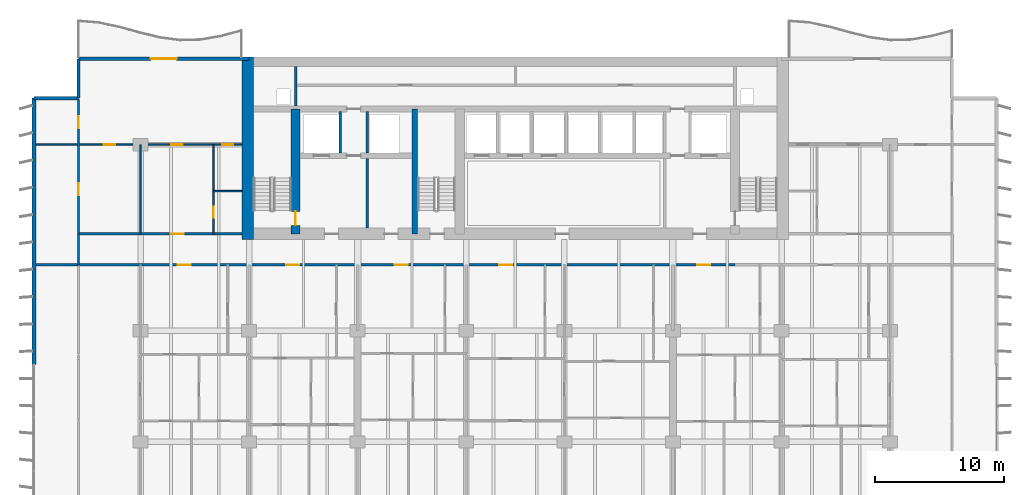
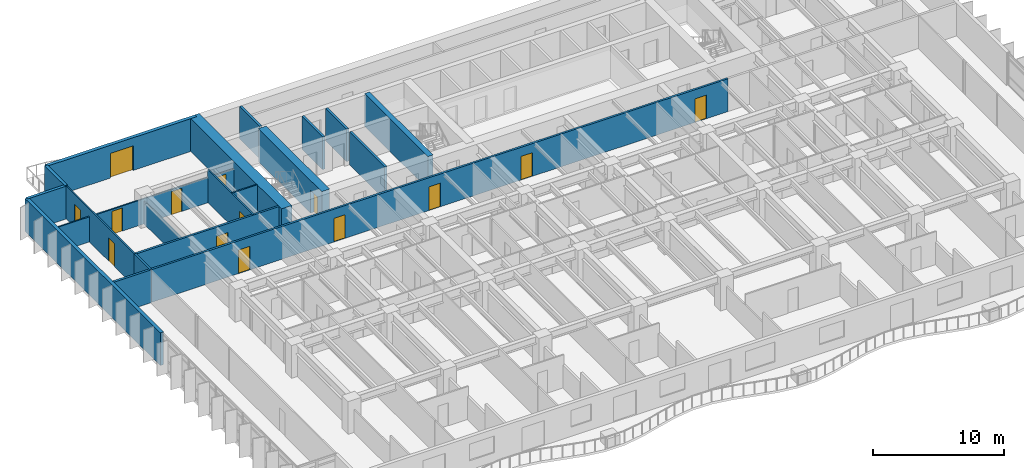
# One storey, part 10 of 17: 20 walls, 14 doors, 14 openings.
"""IFC4 building model written with IfcOpenShell, lengths in metres."""

from ifc_helpers import new_model, si_unit, direction, frame, frame_2d, origin, place, context, subcontext, project, spatial, rectangle, extrude, material, layer, layer_set, type_object, element, fill, save


model = new_model("IFC4")

# Units and contexts
model_context = context("Model", 3, precision=1e-05, world=origin(), true_north=direction((0.0, 1.0)))
body_context = subcontext(model_context, "Body", "Model", "MODEL_VIEW")
ifc_project = project(units=[si_unit("LENGTHUNIT", "METRE"), si_unit("AREAUNIT", "SQUARE_METRE"), si_unit("VOLUMEUNIT", "CUBIC_METRE"), si_unit("PLANEANGLEUNIT", "RADIAN"), si_unit("MASSUNIT", "GRAM", prefix="KILO")], contexts=[model_context])

# Site, building, storey
site_placement = place(None, origin())
site = spatial("IfcSite", under=ifc_project, at=site_placement, CompositionType="ELEMENT")
building_placement = place(site_placement, origin())
building = spatial("IfcBuilding", under=site, at=building_placement, Name="Caelmar Bay Residences", CompositionType="ELEMENT")
storey_placement = place(building_placement, frame((0.0, 0.0, 30.0)))
storey = spatial("IfcBuildingStorey", under=building, at=storey_placement, Name="L06", CompositionType="ELEMENT", Elevation=30.0)

# Wall, opening, door
ifc_material_1 = material(Name="Concrete f'c 55 MPa (8,000 psi)", Category="concrete")
ifc_layer_1 = layer(ifc_material_1, 0.699951171875)
ifc_layer_set_1 = layer_set([ifc_layer_1], Name="Concrete f'c 55 MPa (8,000 psi)")
wall_type_1 = type_object("IfcWallType", Name="SW-COR-700", PredefinedType="SHEAR", material=ifc_layer_set_1)
wall_1_placement = place(storey_placement, frame((21.89990234375, 36.89990234375, 0.0), z_axis=(0.0, 0.0, 1.0), x_axis=(0.0, 1.0, 0.0)))
wall_1 = element("IfcWall", 1, at=wall_1_placement, inside=storey, type_object=wall_type_1, Name="L06 Core Structural Web Wall ST1E", PredefinedType="SHEAR", context=body_context, shape_type="SweptSolid", body=[
    extrude(rectangle(XDim=9.675048828125, YDim=0.699951171875, at=frame_2d((4.83740234375, 0.0))), origin(), (0.0, 0.0, 1.0), 3.050048828125),
])
opening_1_placement = place(wall_1_placement, frame((0.64990234375, 0.0, 0.0)))
opening_1 = element("IfcOpeningElement", 2, at=opening_1_placement, cuts=wall_1, Name="Opening D-L06-108", PredefinedType="OPENING", context=body_context, shape_type="SweptSolid", body=[
    extrude(rectangle(XDim=1.10009765625, YDim=2.14990234375, at=frame_2d((0.550048828125, 1.074951171875))), frame((0.0, 0.35986328125, 0.0), z_axis=(0.0, -1.0, 0.0), x_axis=(1.0, 0.0, 0.0)), (0.0, 0.0, 1.0), 0.719970703125),
])
ifc_material_2 = material(Name="Fire-rated steel and walnut architectural door assembly", Category="steel")
ifc_layer_2 = layer(ifc_material_2, 0.050048828125)
ifc_layer_set_2 = layer_set([ifc_layer_2], Name="Fire-rated steel and walnut architectural door assembly")
door_type_1 = type_object("IfcDoorType", Name="D-STAIR-1100", OperationType="NOTDEFINED", PredefinedType="DOOR", material=ifc_layer_set_2)
door_1_placement = place(opening_1_placement, origin())
door_1 = element("IfcDoor", 3, at=door_1_placement, inside=storey, type_object=door_type_1, Name="L06 Firefighting Lobby West Door", OperationType="SINGLE_SWING_RIGHT", OverallHeight=2.14990234375, OverallWidth=1.10009765625, PredefinedType="DOOR", context=body_context, shape_type="SweptSolid", body=[
    extrude(rectangle(XDim=1.10009765625, YDim=2.14990234375, at=frame_2d((0.550048828125, 1.074951171875))), frame((0.0, 0.02490234375, 0.0), z_axis=(0.0, -1.0, 0.0), x_axis=(1.0, 0.0, 0.0)), (0.0, 0.0, 1.0), 0.050048828125),
])
fill(opening_1, door_1)

# Walls
ifc_material_3 = material(Name="Concrete f'c 70 MPa (10,000 psi)", Category="concrete")
ifc_layer_3 = layer(ifc_material_3, 0.89990234375)
ifc_layer_set_3 = layer_set([ifc_layer_3], Name="Concrete f'c 70 MPa (10,000 psi)")
wall_type_2 = type_object("IfcWallType", Name="SW-COR-900", PredefinedType="SHEAR", material=ifc_layer_set_3)
wall_2_placement = place(storey_placement, frame((18.199951171875, 36.449951171875, 0.0), z_axis=(0.0, 0.0, 1.0), x_axis=(0.0, 1.0, 0.0)))
element("IfcWall", 4, at=wall_2_placement, inside=storey, type_object=wall_type_2, Name="L06 Rear Core West Shear Wall", PredefinedType="SHEAR", context=body_context, shape_type="SweptSolid", body=[
    extrude(rectangle(XDim=14.150146484375, YDim=0.89990234375, at=frame_2d((7.0751953125, 0.0))), origin(), (0.0, 0.0, 1.0), 3.050048828125),
])
ifc_layer_4 = layer(ifc_material_3, 0.449951171875)
ifc_layer_set_4 = layer_set([ifc_layer_4], Name="Concrete f'c 70 MPa (10,000 psi)")
wall_type_3 = type_object("IfcWallType", Name="SW-WEB-450", PredefinedType="SHEAR", material=ifc_layer_set_4)
wall_3_placement = place(storey_placement, frame((31.125, 36.89990234375, 0.0), z_axis=(0.0, 0.0, 1.0), x_axis=(0.0, 1.0, 0.0)))
element("IfcWall", 5, at=wall_3_placement, inside=storey, type_object=wall_type_3, Name="L06 Core Structural Web Wall ST3W", PredefinedType="SHEAR", context=body_context, shape_type="SweptSolid", body=[
    extrude(rectangle(XDim=9.675048828125, YDim=0.449951171875, at=frame_2d((4.83740234375, 0.0))), origin(), (0.0, 0.0, 1.0), 3.050048828125),
])
ifc_material_4 = material(Name="Double-stud acoustic fire-rated gypsum partition 180 mm")
ifc_layer_5 = layer(ifc_material_4, 0.179931640625)
ifc_layer_set_5 = layer_set([ifc_layer_5], Name="Double-stud acoustic fire-rated gypsum partition 180 mm")
wall_type_4 = type_object("IfcWallType", Name="W-COR-200", PredefinedType="PARTITIONING", material=ifc_layer_set_5)
wall_4_placement = place(storey_placement, frame((5.10009765625, 34.5048828125, 0.0), z_axis=(0.0, 0.0, 1.0), x_axis=(0.0, 1.0, 0.0)))
element("IfcWall", 6, at=wall_4_placement, inside=storey, type_object=wall_type_4, Name="L06 Partition Wall V005", PredefinedType="PARTITIONING", context=body_context, shape_type="SweptSolid", body=[
    extrude(rectangle(XDim=2.39501953125, YDim=0.179931640625, at=frame_2d((1.197509765625, 0.0))), origin(), (0.0, 0.0, 1.0), 3.050048828125),
])

# Wall, openings, doors
wall_5_placement = place(storey_placement, frame((5.10498046875, 34.5, 0.0), z_axis=(0.0, 0.0, 1.0), x_axis=(1.0, 0.0, 0.0)))
wall_5 = element("IfcWall", 7, at=wall_5_placement, inside=storey, type_object=wall_type_4, Name="L06 Partition Wall H124", PredefinedType="PARTITIONING", context=body_context, shape_type="SweptSolid", body=[
    extrude(rectangle(XDim=50.781005859375, YDim=0.179931640625, at=frame_2d((25.390625, 0.0))), origin(), (0.0, 0.0, 1.0), 3.050048828125),
])
opening_2_placement = place(wall_5_placement, frame((7.669921875, 0.0, 0.0)))
opening_2 = element("IfcOpeningElement", 8, at=opening_2_placement, cuts=wall_5, Name="Opening D-L06-119", PredefinedType="OPENING", context=body_context, shape_type="SweptSolid", body=[
    extrude(rectangle(XDim=1.0, YDim=2.199951171875, at=frame_2d((0.5, 1.10009765625))), frame((0.0, 0.099853515625, 0.0), z_axis=(0.0, -1.0, 0.0), x_axis=(1.0, 0.0, 0.0)), (0.0, 0.0, 1.0), 0.199951171875),
])
opening_3_placement = place(wall_5_placement, frame((16.070068359375, 0.0, 0.0)))
opening_3 = element("IfcOpeningElement", 9, at=opening_3_placement, cuts=wall_5, Name="Opening D-L06-127", PredefinedType="OPENING", context=body_context, shape_type="SweptSolid", body=[
    extrude(rectangle(XDim=1.0, YDim=2.199951171875, at=frame_2d((0.5, 1.10009765625))), frame((0.0, 0.099853515625, 0.0), z_axis=(0.0, -1.0, 0.0), x_axis=(1.0, 0.0, 0.0)), (0.0, 0.0, 1.0), 0.199951171875),
])
opening_4_placement = place(wall_5_placement, frame((24.469970703125, 0.0, 0.0)))
opening_4 = element("IfcOpeningElement", 10, at=opening_4_placement, cuts=wall_5, Name="Opening D-L06-134", PredefinedType="OPENING", context=body_context, shape_type="SweptSolid", body=[
    extrude(rectangle(XDim=1.0, YDim=2.199951171875, at=frame_2d((0.5, 1.10009765625))), frame((0.0, 0.099853515625, 0.0), z_axis=(0.0, -1.0, 0.0), x_axis=(1.0, 0.0, 0.0)), (0.0, 0.0, 1.0), 0.199951171875),
])
opening_5_placement = place(wall_5_placement, frame((32.544921875, 0.0, 0.0)))
opening_5 = element("IfcOpeningElement", 11, at=opening_5_placement, cuts=wall_5, Name="Opening D-L06-141", PredefinedType="OPENING", context=body_context, shape_type="SweptSolid", body=[
    extrude(rectangle(XDim=1.0, YDim=2.199951171875, at=frame_2d((0.5, 1.10009765625))), frame((0.0, 0.099853515625, 0.0), z_axis=(0.0, -1.0, 0.0), x_axis=(1.0, 0.0, 0.0)), (0.0, 0.0, 1.0), 0.199951171875),
])
opening_6_placement = place(wall_5_placement, frame((47.887939453125, 0.0, 0.0)))
opening_6 = element("IfcOpeningElement", 12, at=opening_6_placement, cuts=wall_5, Name="Opening D-L06-150", PredefinedType="OPENING", context=body_context, shape_type="SweptSolid", body=[
    extrude(rectangle(XDim=1.0, YDim=2.199951171875, at=frame_2d((0.5, 1.10009765625))), frame((0.0, 0.099853515625, 0.0), z_axis=(0.0, -1.0, 0.0), x_axis=(1.0, 0.0, 0.0)), (0.0, 0.0, 1.0), 0.199951171875),
])
ifc_layer_6 = layer(ifc_material_2, 0.050048828125)
ifc_layer_set_6 = layer_set([ifc_layer_6], Name="Fire-rated steel and walnut architectural door assembly")
door_type_2 = type_object("IfcDoorType", Name="D-UNIT-1000", OperationType="NOTDEFINED", PredefinedType="DOOR", material=ifc_layer_set_6)
door_2_placement = place(opening_2_placement, origin())
door_2 = element("IfcDoor", 13, at=door_2_placement, inside=storey, type_object=door_type_2, Name="L06 Residence 01 Apartment Hall Door", OperationType="SINGLE_SWING_LEFT", OverallHeight=2.199951171875, OverallWidth=1.0, PredefinedType="DOOR", context=body_context, shape_type="SweptSolid", body=[
    extrude(rectangle(XDim=1.0, YDim=2.199951171875, at=frame_2d((0.5, 1.10009765625))), frame((0.0, 0.02490234375, 0.0), z_axis=(0.0, -1.0, 0.0), x_axis=(1.0, 0.0, 0.0)), (0.0, 0.0, 1.0), 0.050048828125),
])
fill(opening_2, door_2)
door_3_placement = place(opening_3_placement, origin())
door_3 = element("IfcDoor", 14, at=door_3_placement, inside=storey, type_object=door_type_2, Name="L06 Residence 02 Apartment Hall Door", OperationType="SINGLE_SWING_LEFT", OverallHeight=2.199951171875, OverallWidth=1.0, PredefinedType="DOOR", context=body_context, shape_type="SweptSolid", body=[
    extrude(rectangle(XDim=1.0, YDim=2.199951171875, at=frame_2d((0.5, 1.10009765625))), frame((0.0, 0.02490234375, 0.0), z_axis=(0.0, -1.0, 0.0), x_axis=(1.0, 0.0, 0.0)), (0.0, 0.0, 1.0), 0.050048828125),
])
fill(opening_3, door_3)
door_4_placement = place(opening_4_placement, origin())
door_4 = element("IfcDoor", 15, at=door_4_placement, inside=storey, type_object=door_type_2, Name="L06 Residence 03 Apartment Hall Door", OperationType="SINGLE_SWING_RIGHT", OverallHeight=2.199951171875, OverallWidth=1.0, PredefinedType="DOOR", context=body_context, shape_type="SweptSolid", body=[
    extrude(rectangle(XDim=1.0, YDim=2.199951171875, at=frame_2d((0.5, 1.10009765625))), frame((0.0, 0.02490234375, 0.0), z_axis=(0.0, -1.0, 0.0), x_axis=(1.0, 0.0, 0.0)), (0.0, 0.0, 1.0), 0.050048828125),
])
fill(opening_4, door_4)
door_5_placement = place(opening_5_placement, origin())
door_5 = element("IfcDoor", 16, at=door_5_placement, inside=storey, type_object=door_type_2, Name="L06 Residence 04 Apartment Hall Door", OperationType="SINGLE_SWING_LEFT", OverallHeight=2.199951171875, OverallWidth=1.0, PredefinedType="DOOR", context=body_context, shape_type="SweptSolid", body=[
    extrude(rectangle(XDim=1.0, YDim=2.199951171875, at=frame_2d((0.5, 1.10009765625))), frame((0.0, 0.02490234375, 0.0), z_axis=(0.0, -1.0, 0.0), x_axis=(1.0, 0.0, 0.0)), (0.0, 0.0, 1.0), 0.050048828125),
])
fill(opening_5, door_5)
door_6_placement = place(opening_6_placement, origin())
door_6 = element("IfcDoor", 17, at=door_6_placement, inside=storey, type_object=door_type_2, Name="L06 Residence 05 Apartment Hall Door", OperationType="SINGLE_SWING_RIGHT", OverallHeight=2.199951171875, OverallWidth=1.0, PredefinedType="DOOR", context=body_context, shape_type="SweptSolid", body=[
    extrude(rectangle(XDim=1.0, YDim=2.199951171875, at=frame_2d((0.5, 1.10009765625))), frame((0.0, 0.02490234375, 0.0), z_axis=(0.0, -1.0, 0.0), x_axis=(1.0, 0.0, 0.0)), (0.0, 0.0, 1.0), 0.050048828125),
])
fill(opening_6, door_6)

# Wall, opening, door
wall_6_placement = place(storey_placement, frame((5.10009765625, 36.89990234375, 0.0), z_axis=(0.0, 0.0, 1.0), x_axis=(1.0, 0.0, 0.0)))
wall_6 = element("IfcWall", 18, at=wall_6_placement, inside=storey, type_object=wall_type_4, Name="L06 Partition Wall H127", PredefinedType="PARTITIONING", context=body_context, shape_type="SweptSolid", body=[
    extrude(rectangle(XDim=12.64501953125, YDim=0.179931640625, at=frame_2d((6.322509765625, 0.0))), origin(), (0.0, 0.0, 1.0), 3.050048828125),
])
opening_7_placement = place(wall_6_placement, frame((7.125, 0.0, 0.0)))
opening_7 = element("IfcOpeningElement", 19, at=opening_7_placement, cuts=wall_6, Name="Opening D-L06-168", PredefinedType="OPENING", context=body_context, shape_type="SweptSolid", body=[
    extrude(rectangle(XDim=1.0, YDim=2.199951171875, at=frame_2d((0.5, 1.10009765625))), frame((0.0, 0.099853515625, 0.0), z_axis=(0.0, -1.0, 0.0), x_axis=(1.0, 0.0, 0.0)), (0.0, 0.0, 1.0), 0.199951171875),
])
door_7_placement = place(opening_7_placement, origin())
door_7 = element("IfcDoor", 20, at=door_7_placement, inside=storey, type_object=door_type_2, Name="L06 Residence WA Kitchen Door", OperationType="SINGLE_SWING_RIGHT", OverallHeight=2.199951171875, OverallWidth=1.0, PredefinedType="DOOR", context=body_context, shape_type="SweptSolid", body=[
    extrude(rectangle(XDim=1.0, YDim=2.199951171875, at=frame_2d((0.5, 1.10009765625))), frame((0.0, 0.02490234375, 0.0), z_axis=(0.0, -1.0, 0.0), x_axis=(1.0, 0.0, 0.0)), (0.0, 0.0, 1.0), 0.050048828125),
])
fill(opening_7, door_7)

# Walls
ifc_material_5 = material(Name="Precast concrete f'c 40 MPa (6,000 psi)", Category="concrete")
ifc_layer_7 = layer(ifc_material_5, 0.25)
ifc_layer_set_7 = layer_set([ifc_layer_7], Name="Precast concrete f'c 40 MPa (6,000 psi)")
wall_type_5 = type_object("IfcWallType", Name="W-EXT-250", PredefinedType="ELEMENTEDWALL", material=ifc_layer_set_7)
wall_7_placement = place(storey_placement, frame((1.64990234375, 47.39990234375, 0.0), z_axis=(0.0, 0.0, 1.0), x_axis=(1.0, 0.0, 0.0)))
element("IfcWall", 21, at=wall_7_placement, inside=storey, type_object=wall_type_5, Name="L06 NNW-H Notch Wall", PredefinedType="ELEMENTEDWALL", context=body_context, shape_type="SweptSolid", body=[
    extrude(rectangle(XDim=3.4501953125, YDim=0.25, at=frame_2d((1.72509765625, 0.0))), origin(), (0.0, 0.0, 1.0), 3.050048828125),
])
wall_8_placement = place(storey_placement, frame((5.10009765625, 47.39990234375, 0.0), z_axis=(0.0, 0.0, 1.0), x_axis=(0.0, 1.0, 0.0)))
element("IfcWall", 22, at=wall_8_placement, inside=storey, type_object=wall_type_5, Name="L06 NNW-V Notch Wall", PredefinedType="ELEMENTEDWALL", context=body_context, shape_type="SweptSolid", body=[
    extrude(rectangle(XDim=3.050048828125, YDim=0.25, at=frame_2d((1.52490234375, 0.0))), origin(), (0.0, 0.0, 1.0), 3.050048828125),
])
ifc_layer_8 = layer(ifc_material_5, 0.300048828125)
ifc_layer_set_8 = layer_set([ifc_layer_8], Name="Precast concrete f'c 40 MPa (6,000 psi)")
wall_type_6 = type_object("IfcWallType", Name="W-EXT-300", PredefinedType="STANDARD", material=ifc_layer_set_8)
wall_9_placement = place(storey_placement, frame((1.64990234375, 26.800048828125, 0.0), z_axis=(0.0, 0.0, 1.0), x_axis=(0.0, 1.0, 0.0)))
element("IfcWall", 23, at=wall_9_placement, inside=storey, type_object=wall_type_6, Name="L06 West Rear Exterior Wall", PredefinedType="STANDARD", context=body_context, shape_type="SweptSolid", body=[
    extrude(rectangle(XDim=20.599853515625, YDim=0.300048828125, at=frame_2d((10.2998046875, 0.0))), origin(), (0.0, 0.0, 1.0), 3.050048828125),
])

# Wall, opening, door
wall_10_placement = place(storey_placement, frame((5.10009765625, 50.449951171875, 0.0), z_axis=(0.0, 0.0, 1.0), x_axis=(1.0, 0.0, 0.0)))
wall_10 = element("IfcWall", 24, at=wall_10_placement, inside=storey, type_object=wall_type_6, Name="L06 North-West Wing Exterior Wall", PredefinedType="STANDARD", context=body_context, shape_type="SweptSolid", body=[
    extrude(rectangle(XDim=13.199951171875, YDim=0.300048828125, at=frame_2d((6.60009765625, 0.0))), origin(), (0.0, 0.0, 1.0), 3.050048828125),
])
opening_8_placement = place(wall_10_placement, frame((5.60009765625, 0.0, 0.0)))
opening_8 = element("IfcOpeningElement", 25, at=opening_8_placement, cuts=wall_10, Name="Opening L06-BDNW", PredefinedType="OPENING", context=body_context, shape_type="SweptSolid", body=[
    extrude(rectangle(XDim=2.0, YDim=2.300048828125, at=frame_2d((1.0, 1.14990234375))), frame((0.0, 0.159912109375, 0.0), z_axis=(0.0, -1.0, 0.0), x_axis=(1.0, 0.0, 0.0)), (0.0, 0.0, 1.0), 0.320068359375),
])
ifc_material_6 = material(Name="Anodised bronze thermally broken sliding glass door", Category="glass")
ifc_layer_9 = layer(ifc_material_6, 0.050048828125)
ifc_layer_set_9 = layer_set([ifc_layer_9], Name="Anodised bronze thermally broken sliding glass door")
door_type_3 = type_object("IfcDoorType", Name="D-BAL-2000", OperationType="DOUBLE_DOOR_SLIDING", PredefinedType="DOOR", material=ifc_layer_set_9)
door_8_placement = place(opening_8_placement, origin())
door_8 = element("IfcDoor", 26, at=door_8_placement, inside=storey, type_object=door_type_3, Name="L06 North-West Balcony Door", OperationType="DOUBLE_DOOR_SLIDING", OverallHeight=2.300048828125, OverallWidth=2.0, PredefinedType="DOOR", context=body_context, shape_type="SweptSolid", body=[
    extrude(rectangle(XDim=2.0, YDim=2.300048828125, at=frame_2d((1.0, 1.14990234375))), frame((0.0, 0.02490234375, 0.0), z_axis=(0.0, -1.0, 0.0), x_axis=(1.0, 0.0, 0.0)), (0.0, 0.0, 1.0), 0.050048828125),
])
fill(opening_8, door_8)

# Walls
ifc_material_7 = material(Name="Fire-rated masonry and gypsum shaftliner assembly 200 mm", Category="masonry")
ifc_layer_10 = layer(ifc_material_7, 0.199951171875)
ifc_layer_set_10 = layer_set([ifc_layer_10], Name="Fire-rated masonry and gypsum shaftliner assembly 200 mm")
wall_type_7 = type_object("IfcWallType", Name="W-FSAE-200", PredefinedType="PARTITIONING", material=ifc_layer_set_10)
wall_11_placement = place(storey_placement, frame((21.89990234375, 46.794921875, 0.0), z_axis=(0.0, 0.0, 1.0), x_axis=(0.0, 1.0, 0.0)))
element("IfcWall", 27, at=wall_11_placement, inside=storey, type_object=wall_type_7, Name="L06 Partition Wall V024", PredefinedType="PARTITIONING", context=body_context, shape_type="SweptSolid", body=[
    extrude(rectangle(XDim=3.06005859375, YDim=0.199951171875, at=frame_2d((1.530029296875, 0.0))), origin(), (0.0, 0.0, 1.0), 3.050048828125),
])
wall_12_placement = place(storey_placement, frame((25.35009765625, 43.169921875, 0.0), z_axis=(0.0, 0.0, 1.0), x_axis=(0.0, 1.0, 0.0)))
element("IfcWall", 28, at=wall_12_placement, inside=storey, type_object=wall_type_7, Name="L06 Partition Wall V031", PredefinedType="PARTITIONING", context=body_context, shape_type="SweptSolid", body=[
    extrude(rectangle(XDim=3.18505859375, YDim=0.199951171875, at=frame_2d((1.592529296875, 0.0))), origin(), (0.0, 0.0, 1.0), 3.050048828125),
])
wall_13_placement = place(storey_placement, frame((27.449951171875, 37.344970703125, 0.0), z_axis=(0.0, 0.0, 1.0), x_axis=(0.0, 1.0, 0.0)))
element("IfcWall", 29, at=wall_13_placement, inside=storey, type_object=wall_type_7, Name="L06 Partition Wall V035", PredefinedType="PARTITIONING", context=body_context, shape_type="SweptSolid", body=[
    extrude(rectangle(XDim=5.385009765625, YDim=0.199951171875, at=frame_2d((2.6923828125, 0.0))), origin(), (0.0, 0.0, 1.0), 3.050048828125),
])
wall_14_placement = place(storey_placement, frame((27.449951171875, 43.169921875, 0.0), z_axis=(0.0, 0.0, 1.0), x_axis=(0.0, 1.0, 0.0)))
element("IfcWall", 30, at=wall_14_placement, inside=storey, type_object=wall_type_7, Name="L06 Partition Wall V036", PredefinedType="PARTITIONING", context=body_context, shape_type="SweptSolid", body=[
    extrude(rectangle(XDim=3.18505859375, YDim=0.199951171875, at=frame_2d((1.592529296875, 0.0))), origin(), (0.0, 0.0, 1.0), 3.050048828125),
])

# Wall, openings, doors
ifc_material_8 = material(Name="Acoustic metal-stud gypsum partition 120 mm")
ifc_layer_11 = layer(ifc_material_8, 0.1201171875)
ifc_layer_set_11 = layer_set([ifc_layer_11], Name="Acoustic metal-stud gypsum partition 120 mm")
wall_type_8 = type_object("IfcWallType", Name="W-PRT-120", PredefinedType="PARTITIONING", material=ifc_layer_set_11)
wall_15_placement = place(storey_placement, frame((5.10009765625, 36.905029296875, 0.0), z_axis=(0.0, 0.0, 1.0), x_axis=(0.0, 1.0, 0.0)))
wall_15 = element("IfcWall", 31, at=wall_15_placement, inside=storey, type_object=wall_type_8, Name="L06 Partition Wall V006", PredefinedType="PARTITIONING", context=body_context, shape_type="SweptSolid", body=[
    extrude(rectangle(XDim=10.375, YDim=0.1201171875, at=frame_2d((5.1875, 0.0))), origin(), (0.0, 0.0, 1.0), 3.050048828125),
])
opening_9_placement = place(wall_15_placement, frame((2.99755859375, 0.0, 0.0)))
opening_9 = element("IfcOpeningElement", 32, at=opening_9_placement, cuts=wall_15, Name="Opening D-L06-172", PredefinedType="OPENING", context=body_context, shape_type="SweptSolid", body=[
    extrude(rectangle(XDim=0.89990234375, YDim=2.14990234375, at=frame_2d((0.449951171875, 1.074951171875))), frame((0.0, 0.070068359375, 0.0), z_axis=(0.0, -1.0, 0.0), x_axis=(1.0, 0.0, 0.0)), (0.0, 0.0, 1.0), 0.14013671875),
])
opening_10_placement = place(wall_15_placement, frame((8.18505859375, 0.0, 0.0)))
opening_10 = element("IfcOpeningElement", 33, at=opening_10_placement, cuts=wall_15, Name="Opening D-L06-173", PredefinedType="OPENING", context=body_context, shape_type="SweptSolid", body=[
    extrude(rectangle(XDim=0.89990234375, YDim=2.14990234375, at=frame_2d((0.449951171875, 1.074951171875))), frame((0.0, 0.070068359375, 0.0), z_axis=(0.0, -1.0, 0.0), x_axis=(1.0, 0.0, 0.0)), (0.0, 0.0, 1.0), 0.14013671875),
])
ifc_material_9 = material(Name="Solid walnut timber interior door leaf and frame", Category="wood")
ifc_layer_12 = layer(ifc_material_9, 0.050048828125)
ifc_layer_set_12 = layer_set([ifc_layer_12], Name="Solid walnut timber interior door leaf and frame")
door_type_4 = type_object("IfcDoorType", Name="D-ROOM-900", OperationType="NOTDEFINED", PredefinedType="DOOR", material=ifc_layer_set_12)
door_9_placement = place(opening_9_placement, origin())
door_9 = element("IfcDoor", 34, at=door_9_placement, inside=storey, type_object=door_type_4, Name="L06 Residence WA Sun Study Door", OperationType="SINGLE_SWING_RIGHT", OverallHeight=2.14990234375, OverallWidth=0.89990234375, PredefinedType="DOOR", context=body_context, shape_type="SweptSolid", body=[
    extrude(rectangle(XDim=0.89990234375, YDim=2.14990234375, at=frame_2d((0.449951171875, 1.074951171875))), frame((0.0, 0.02490234375, 0.0), z_axis=(0.0, -1.0, 0.0), x_axis=(1.0, 0.0, 0.0)), (0.0, 0.0, 1.0), 0.050048828125),
])
fill(opening_9, door_9)
door_10_placement = place(opening_10_placement, origin())
door_10 = element("IfcDoor", 35, at=door_10_placement, inside=storey, type_object=door_type_4, Name="L06 Residence WA North Sitting Alcove Door", OperationType="SINGLE_SWING_LEFT", OverallHeight=2.14990234375, OverallWidth=0.89990234375, PredefinedType="DOOR", context=body_context, shape_type="SweptSolid", body=[
    extrude(rectangle(XDim=0.89990234375, YDim=2.14990234375, at=frame_2d((0.449951171875, 1.074951171875))), frame((0.0, 0.02490234375, 0.0), z_axis=(0.0, -1.0, 0.0), x_axis=(1.0, 0.0, 0.0)), (0.0, 0.0, 1.0), 0.050048828125),
])
fill(opening_10, door_10)

# Wall
wall_16_placement = place(storey_placement, frame((9.89990234375, 36.89990234375, 0.0), z_axis=(0.0, 0.0, 1.0), x_axis=(0.0, 1.0, 0.0)))
element("IfcWall", 36, at=wall_16_placement, inside=storey, type_object=wall_type_8, Name="L06 Partition Wall V012", PredefinedType="PARTITIONING", context=body_context, shape_type="SweptSolid", body=[
    extrude(rectangle(XDim=6.900146484375, YDim=0.1201171875, at=frame_2d((3.4501953125, 0.0))), origin(), (0.0, 0.0, 1.0), 2.110107421875),
])

# Wall, opening, door
wall_17_placement = place(storey_placement, frame((15.550048828125, 36.89990234375, 0.0), z_axis=(0.0, 0.0, 1.0), x_axis=(0.0, 1.0, 0.0)))
wall_17 = element("IfcWall", 37, at=wall_17_placement, inside=storey, type_object=wall_type_8, Name="L06 Partition Wall V017", PredefinedType="PARTITIONING", context=body_context, shape_type="SweptSolid", body=[
    extrude(rectangle(XDim=6.900146484375, YDim=0.1201171875, at=frame_2d((3.4501953125, 0.0))), origin(), (0.0, 0.0, 1.0), 3.050048828125),
])
opening_11_placement = place(wall_17_placement, frame((1.23095703125, 0.0, 0.0)))
opening_11 = element("IfcOpeningElement", 38, at=opening_11_placement, cuts=wall_17, Name="Opening D-L06-170", PredefinedType="OPENING", context=body_context, shape_type="SweptSolid", body=[
    extrude(rectangle(XDim=0.85009765625, YDim=2.10009765625, at=frame_2d((0.425048828125, 1.050048828125))), frame((0.0, 0.070068359375, 0.0), z_axis=(0.0, -1.0, 0.0), x_axis=(1.0, 0.0, 0.0)), (0.0, 0.0, 1.0), 0.14013671875),
])
ifc_layer_13 = layer(ifc_material_9, 0.050048828125)
ifc_layer_set_13 = layer_set([ifc_layer_13], Name="Solid walnut timber interior door leaf and frame")
door_type_5 = type_object("IfcDoorType", Name="D-BATH-850", OperationType="NOTDEFINED", PredefinedType="DOOR", material=ifc_layer_set_13)
door_11_placement = place(opening_11_placement, origin())
door_11 = element("IfcDoor", 39, at=door_11_placement, inside=storey, type_object=door_type_5, Name="L06 Residence WA Walk-In Closet Door", OperationType="SINGLE_SWING_RIGHT", OverallHeight=2.10009765625, OverallWidth=0.85009765625, PredefinedType="DOOR", context=body_context, shape_type="SweptSolid", body=[
    extrude(rectangle(XDim=0.85009765625, YDim=2.10009765625, at=frame_2d((0.425048828125, 1.050048828125))), frame((0.0, 0.02490234375, 0.0), z_axis=(0.0, -1.0, 0.0), x_axis=(1.0, 0.0, 0.0)), (0.0, 0.0, 1.0), 0.050048828125),
])
fill(opening_11, door_11)

# Wall
wall_18_placement = place(storey_placement, frame((15.550048828125, 40.2119140625, 0.0), z_axis=(0.0, 0.0, 1.0), x_axis=(1.0, 0.0, 0.0)))
element("IfcWall", 40, at=wall_18_placement, inside=storey, type_object=wall_type_8, Name="L06 Partition Wall H129", PredefinedType="PARTITIONING", context=body_context, shape_type="SweptSolid", body=[
    extrude(rectangle(XDim=2.204833984375, YDim=0.1201171875, at=frame_2d((1.1025390625, 0.0))), origin(), (0.0, 0.0, 1.0), 3.050048828125),
])

# Wall, openings, doors
wall_19_placement = place(storey_placement, frame((1.794921875, 43.800048828125, 0.0), z_axis=(0.0, 0.0, 1.0), x_axis=(1.0, 0.0, 0.0)))
wall_19 = element("IfcWall", 41, at=wall_19_placement, inside=storey, type_object=wall_type_8, Name="L06 Partition Wall H131", PredefinedType="PARTITIONING", context=body_context, shape_type="SweptSolid", body=[
    extrude(rectangle(XDim=15.9599609375, YDim=0.1201171875, at=frame_2d((7.97998046875, 0.0))), origin(), (0.0, 0.0, 1.0), 2.339111328125),
])
opening_12_placement = place(wall_19_placement, frame((5.2548828125, 0.0, 0.0)))
opening_12 = element("IfcOpeningElement", 42, at=opening_12_placement, cuts=wall_19, Name="Opening D-L06-167", PredefinedType="OPENING", context=body_context, shape_type="SweptSolid", body=[
    extrude(rectangle(XDim=0.89990234375, YDim=2.14990234375, at=frame_2d((0.449951171875, 1.074951171875))), frame((0.0, 0.070068359375, 0.0), z_axis=(0.0, -1.0, 0.0), x_axis=(1.0, 0.0, 0.0)), (0.0, 0.0, 1.0), 0.14013671875),
])
opening_13_placement = place(wall_19_placement, frame((10.47998046875, 0.0, 0.0)))
opening_13 = element("IfcOpeningElement", 43, at=opening_13_placement, cuts=wall_19, Name="Opening D-L06-169", PredefinedType="OPENING", context=body_context, shape_type="SweptSolid", body=[
    extrude(rectangle(XDim=0.89990234375, YDim=2.14990234375, at=frame_2d((0.449951171875, 1.074951171875))), frame((0.0, 0.070068359375, 0.0), z_axis=(0.0, -1.0, 0.0), x_axis=(1.0, 0.0, 0.0)), (0.0, 0.0, 1.0), 0.14013671875),
])
opening_14_placement = place(wall_19_placement, frame((14.4326171875, 0.0, 0.0)))
opening_14 = element("IfcOpeningElement", 44, at=opening_14_placement, cuts=wall_19, Name="Opening D-L06-171", PredefinedType="OPENING", context=body_context, shape_type="SweptSolid", body=[
    extrude(rectangle(XDim=0.85009765625, YDim=2.10009765625, at=frame_2d((0.425048828125, 1.050048828125))), frame((0.0, 0.070068359375, 0.0), z_axis=(0.0, -1.0, 0.0), x_axis=(1.0, 0.0, 0.0)), (0.0, 0.0, 1.0), 0.14013671875),
])
door_12_placement = place(opening_14_placement, origin())
door_12 = element("IfcDoor", 45, at=door_12_placement, inside=storey, type_object=door_type_5, Name="L06 Residence WA Bathroom Door", OperationType="SINGLE_SWING_LEFT", OverallHeight=2.10009765625, OverallWidth=0.85009765625, PredefinedType="DOOR", context=body_context, shape_type="SweptSolid", body=[
    extrude(rectangle(XDim=0.85009765625, YDim=2.10009765625, at=frame_2d((0.425048828125, 1.050048828125))), frame((0.0, 0.02490234375, 0.0), z_axis=(0.0, -1.0, 0.0), x_axis=(1.0, 0.0, 0.0)), (0.0, 0.0, 1.0), 0.050048828125),
])
fill(opening_14, door_12)
door_13_placement = place(opening_12_placement, origin())
door_13 = element("IfcDoor", 46, at=door_13_placement, inside=storey, type_object=door_type_4, Name="L06 Residence WA Study Door", OperationType="SINGLE_SWING_LEFT", OverallHeight=2.14990234375, OverallWidth=0.89990234375, PredefinedType="DOOR", context=body_context, shape_type="SweptSolid", body=[
    extrude(rectangle(XDim=0.89990234375, YDim=2.14990234375, at=frame_2d((0.449951171875, 1.074951171875))), frame((0.0, 0.02490234375, 0.0), z_axis=(0.0, -1.0, 0.0), x_axis=(1.0, 0.0, 0.0)), (0.0, 0.0, 1.0), 0.050048828125),
])
fill(opening_12, door_13)
door_14_placement = place(opening_13_placement, origin())
door_14 = element("IfcDoor", 47, at=door_14_placement, inside=storey, type_object=door_type_4, Name="L06 Residence WA Studio Living and Sleeping Room Door", OperationType="SINGLE_SWING_LEFT", OverallHeight=2.14990234375, OverallWidth=0.89990234375, PredefinedType="DOOR", context=body_context, shape_type="SweptSolid", body=[
    extrude(rectangle(XDim=0.89990234375, YDim=2.14990234375, at=frame_2d((0.449951171875, 1.074951171875))), frame((0.0, 0.02490234375, 0.0), z_axis=(0.0, -1.0, 0.0), x_axis=(1.0, 0.0, 0.0)), (0.0, 0.0, 1.0), 0.050048828125),
])
fill(opening_13, door_14)

# Wall
ifc_material_10 = material(Name="Acoustic twin-stud fire-rated inter-tenancy partition 200 mm")
ifc_layer_14 = layer(ifc_material_10, 0.199951171875)
ifc_layer_set_14 = layer_set([ifc_layer_14], Name="Acoustic twin-stud fire-rated inter-tenancy partition 200 mm")
wall_type_9 = type_object("IfcWallType", Name="W-PTY-200", PredefinedType="PARTITIONING", material=ifc_layer_set_14)
wall_20_placement = place(storey_placement, frame((1.794921875, 34.5, 0.0), z_axis=(0.0, 0.0, 1.0), x_axis=(1.0, 0.0, 0.0)))
element("IfcWall", 48, at=wall_20_placement, inside=storey, type_object=wall_type_9, Name="L06 Partition Wall H123", PredefinedType="PARTITIONING", context=body_context, shape_type="SweptSolid", body=[
    extrude(rectangle(XDim=3.30517578125, YDim=0.199951171875, at=frame_2d((1.652587890625, 0.0))), origin(), (0.0, 0.0, 1.0), 3.050048828125),
])

save(model, "model.ifc")
